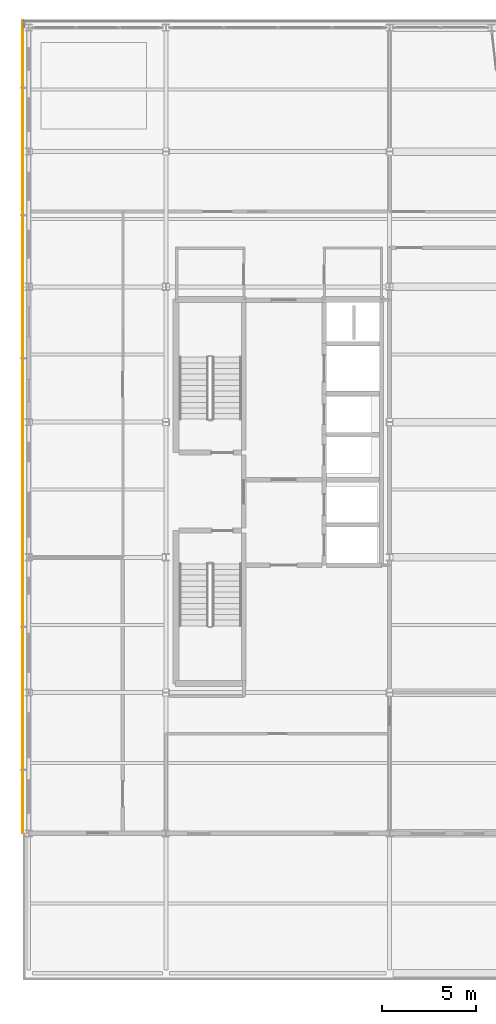
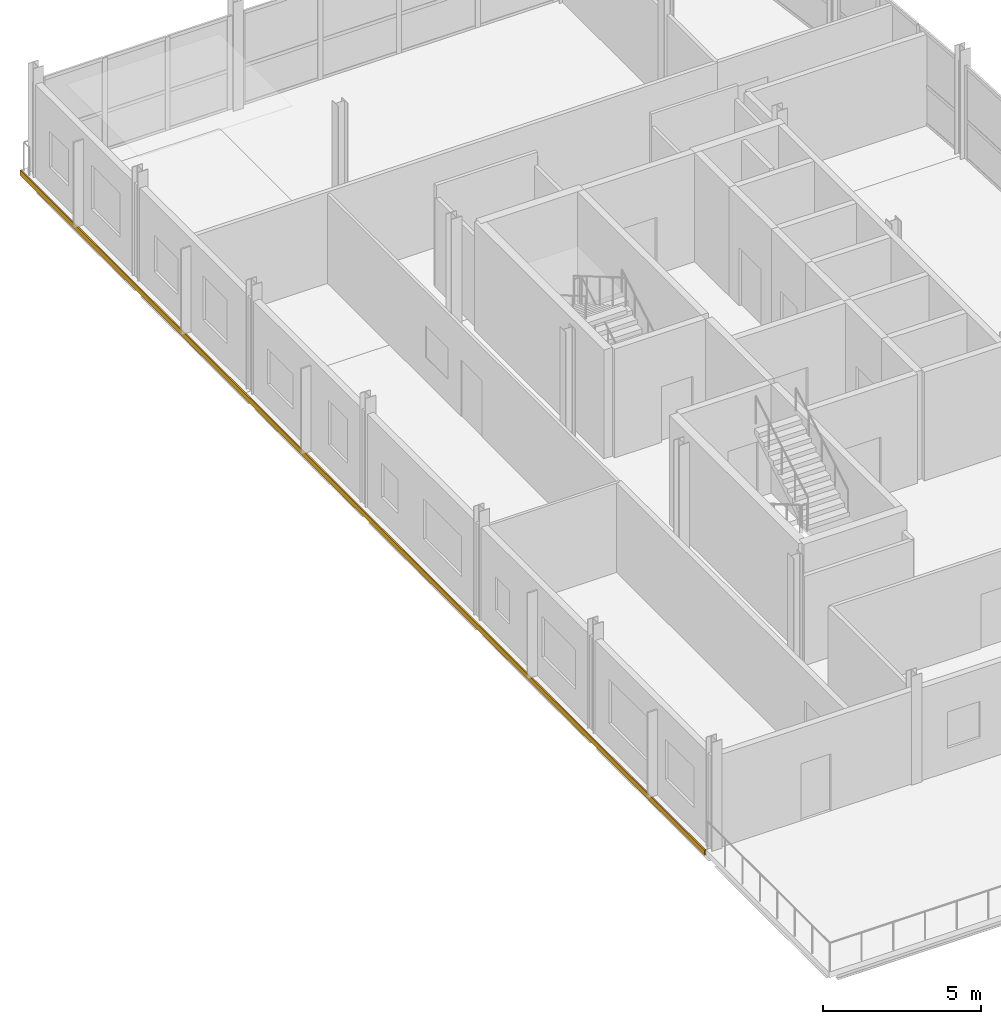
# One storey, part 18 of 19: 1 covering.
"""IFC4 building model written with IfcOpenShell, lengths in metres."""

from ifc_helpers import new_model, si_unit, direction, frame, origin, place, context, subcontext, project, spatial, polyline, outline, extrude, material, layer, layer_set, type_object, element, save


model = new_model("IFC4")

# Units and contexts
model_context = context("Model", 3, precision=1e-05, world=origin(), true_north=direction((0.0, 1.0)))
body_context = subcontext(model_context, "Body", "Model", "MODEL_VIEW")
ifc_project = project(units=[si_unit("LENGTHUNIT", "METRE"), si_unit("AREAUNIT", "SQUARE_METRE"), si_unit("VOLUMEUNIT", "CUBIC_METRE"), si_unit("PLANEANGLEUNIT", "RADIAN"), si_unit("MASSUNIT", "GRAM", prefix="KILO")], contexts=[model_context])

# Site, building, storey
site_placement = place(None, origin())
site = spatial("IfcSite", under=ifc_project, at=site_placement, CompositionType="ELEMENT")
building_placement = place(site_placement, origin())
building = spatial("IfcBuilding", under=site, at=building_placement, Name="Quillay Park Conservatory", CompositionType="ELEMENT")
storey_placement = place(building_placement, frame((0.0, 0.0, 35.10009765625)))
storey = spatial("IfcBuildingStorey", under=building, at=storey_placement, Name="L08", CompositionType="ELEMENT", Elevation=35.10009765625)

# Covering
ifc_material = material(Name="Glass-Fibre Reinforced Concrete (GRC) Cladding", Category="concrete")
ifc_layer = layer(ifc_material, 0.044921875)
ifc_layer_set = layer_set([ifc_layer], Name="GRC SPANDREL CLADDING 45 (Glass-Fibre Reinforced Concrete (GRC) Cladding)")
covering_type = type_object("IfcCoveringType", Name="GRC SPANDREL CLADDING 45", PredefinedType="CLADDING", material=ifc_layer_set)
covering_placement = place(storey_placement, frame((0.0, 0.0, -0.2001953125)))
element("IfcCovering", 1, at=covering_placement, inside=storey, type_object=covering_type, Name="L08 West Folded GRC Spandrel Ribbon", PredefinedType="CLADDING", context=body_context, shape_type="SweptSolid", body=[
    extrude(outline(polyline([(0.205078125, 70.5), (0.25, 70.5), (0.25, 113.800048828125), (0.205078125, 113.800048828125), (0.205078125, 70.5)])), origin(), (0.0, 0.0, 1.0), 0.2001953125),
])

save(model, "model.ifc")
